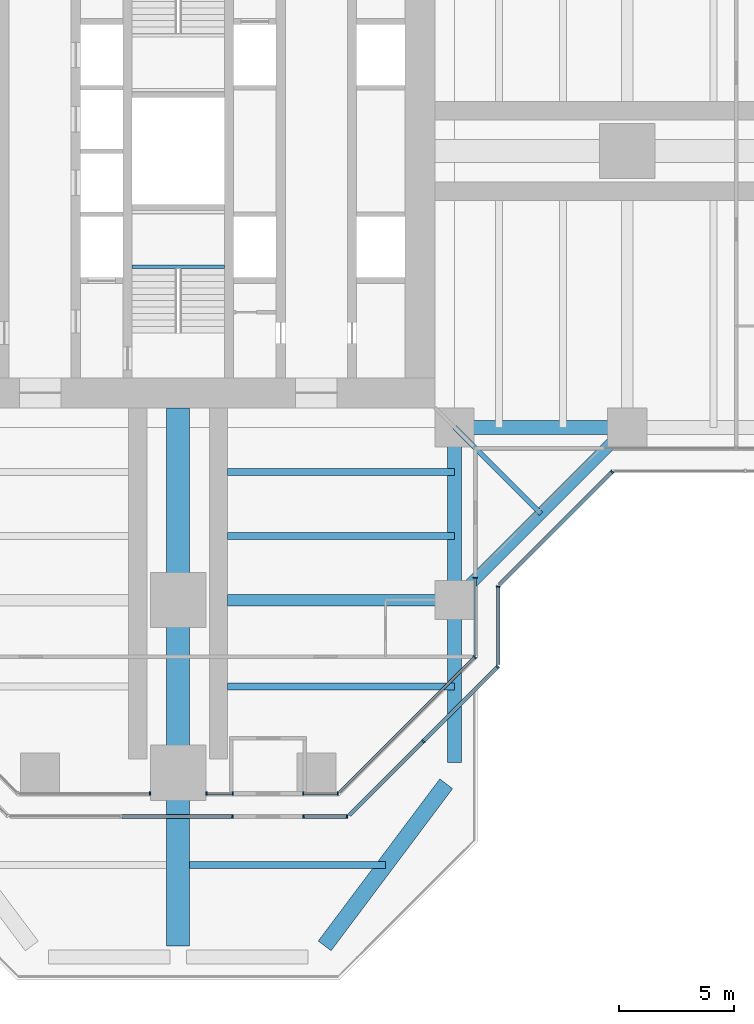
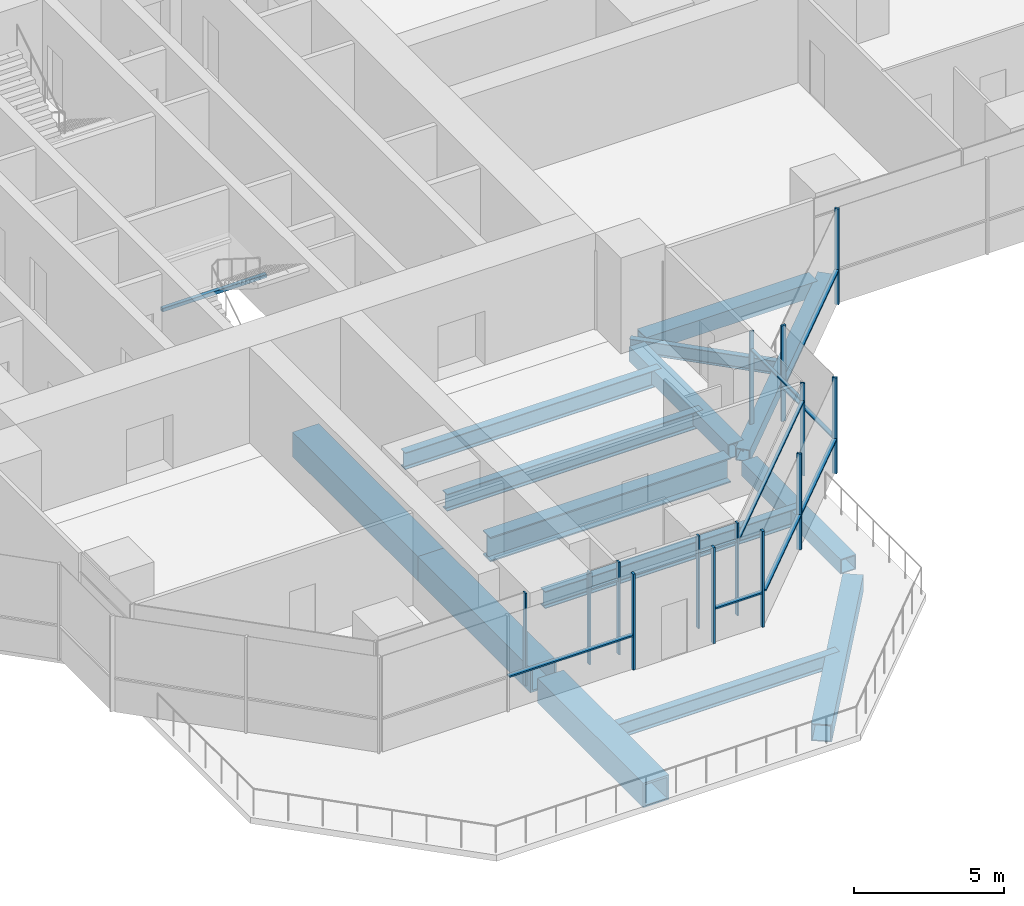
# One storey, part 5 of 21: 24 members, 15 beams, 10 elements without a shape of their own.
"""IFC4 building model written with IfcOpenShell, lengths in metres."""

from ifc_helpers import new_model, si_unit, direction, frame, origin, origin_2d, place, context, subcontext, project, spatial, rectangle, hollow_rectangle, i_section, extrude, material, material_profile, profile_set, type_object, element, aggregate, save


model = new_model("IFC4")

# Units and contexts
model_context = context("Model", 3, precision=1e-05, world=origin(), true_north=direction((0.0, 1.0)))
body_context = subcontext(model_context, "Body", "Model", "MODEL_VIEW")
ifc_project = project(units=[si_unit("LENGTHUNIT", "METRE"), si_unit("AREAUNIT", "SQUARE_METRE"), si_unit("VOLUMEUNIT", "CUBIC_METRE"), si_unit("PLANEANGLEUNIT", "RADIAN"), si_unit("MASSUNIT", "GRAM", prefix="KILO")], contexts=[model_context])

# Site, building, storey
site_placement = place(None, origin())
site = spatial("IfcSite", under=ifc_project, at=site_placement, CompositionType="ELEMENT")
building_placement = place(site_placement, origin())
building = spatial("IfcBuilding", under=site, at=building_placement, Name="Mizan Broadcast Tower", CompositionType="ELEMENT")
storey_placement = place(building_placement, frame((0.0, 0.0, 124.199951171875)))
storey = spatial("IfcBuildingStorey", under=building, at=storey_placement, Name="L27", CompositionType="ELEMENT", Elevation=124.199951171875)

# Beams
ifc_material_1 = material(Name="Steel S355", Category="steel")
ifc_material_profile_1 = material_profile(ifc_material_1, hollow_rectangle(XDim=0.5, YDim=0.5, WallThickness=0.030029296875, at=origin_2d()), Name="BOX 500x500x30")
ifc_profile_set_1 = profile_set([ifc_material_profile_1], Name="Steel S355")
beam_type_1 = type_object("IfcBeamType", Name="EDGE BEAM BOX 500x500x30", PredefinedType="SPANDREL", material=ifc_profile_set_1)
beam_1_placement = place(storey_placement, frame((12.0, -19.5, -0.3798828125), z_axis=(0.707106781187, 0.707106781187, 0.0), x_axis=(-0.707106781187, 0.707106781187, 0.0)))
element("IfcBeam", 1, at=beam_1_placement, inside=storey, type_object=beam_type_1, Name="Winter garden edge beam L27 S", PredefinedType="SPANDREL", context=body_context, shape_type="SweptSolid", body=[
    extrude(hollow_rectangle(XDim=0.5, YDim=0.5, WallThickness=0.030029296875, at=origin_2d()), origin(), (0.0, 0.0, 1.0), 10.606689453125),
])
ifc_material_2 = material(Name="Steel S355", Category="steel")
ifc_material_profile_2 = material_profile(ifc_material_2, hollow_rectangle(XDim=0.60009765625, YDim=0.60009765625, WallThickness=0.0400390625, at=origin_2d()), Name="BOX 600x600x40")
ifc_profile_set_2 = profile_set([ifc_material_profile_2], Name="Steel S355")
beam_type_2 = type_object("IfcBeamType", Name="EDGE BEAM BOX 600x600x40", PredefinedType="SPANDREL", material=ifc_profile_set_2)
for number, where, z_axis, x_axis, name in (
    (2, (12.449951171875, -12.0, -0.429931640625), (1.0, 0.0, 0.0), (0.0, 1.0, 0.0), "Edge beam BOX 600x600x40 L27 east arm"),
    (3, (12.0, -12.449951171875, -0.429931640625), (0.0, -1.0, 0.0), (1.0, 0.0, 0.0), "Edge beam BOX 600x600x40 L27 south arm"),
    (4, (12.0, -19.949951171875, -0.550048828125), (0.0, -1.0, 0.0), (1.0, 0.0, 0.0), "Edge beam BOX 600x600x40 L27 south arm"),
):
    element("IfcBeam", number, at=place(storey_placement, frame(where, z_axis=z_axis, x_axis=x_axis)), inside=storey, type_object=beam_type_2, Name=name, PredefinedType="SPANDREL", context=body_context, shape_type="SweptSolid", body=[
        extrude(hollow_rectangle(XDim=0.60009765625, YDim=0.60009765625, WallThickness=0.0400390625, at=origin_2d()), origin(), (0.0, 0.0, 1.0), 6.60009765625),
    ])
ifc_material_3 = material(Name="Steel S355", Category="steel")
ifc_material_profile_3 = material_profile(ifc_material_3, hollow_rectangle(XDim=0.699951171875, YDim=0.699951171875, WallThickness=0.0400390625, at=origin_2d()), Name="BOX 700x700x40")
ifc_profile_set_3 = profile_set([ifc_material_profile_3], Name="Steel S355")
beam_type_3 = type_object("IfcBeamType", Name="EDGE BEAM BOX 700x700x40", PredefinedType="SPANDREL", material=ifc_profile_set_3)
beam_2_placement = place(storey_placement, frame((11.639892578125, -27.47998046875, -0.599853515625), z_axis=(-0.599982243973, -0.800013316712, 0.0), x_axis=(0.800013316712, -0.599982243973, 0.0)))
element("IfcBeam", 5, at=beam_2_placement, inside=storey, type_object=beam_type_3, Name="Edge beam BOX 700x700x40 L27 south arm", PredefinedType="SPANDREL", context=body_context, shape_type="SweptSolid", body=[
    extrude(hollow_rectangle(XDim=0.699951171875, YDim=0.699951171875, WallThickness=0.0400390625, at=origin_2d()), origin(), (0.0, 0.0, 1.0), 8.7998046875),
])
ifc_material_4 = material(Name="Steel S460", Category="steel")
ifc_material_profile_4 = material_profile(ifc_material_4, hollow_rectangle(XDim=1.0, YDim=1.0, WallThickness=0.080078125, at=origin_2d()), Name="BOX 1000x1000x80")
ifc_profile_set_4 = profile_set([ifc_material_profile_4], Name="Steel S460")
beam_type_4 = type_object("IfcBeamType", Name="GIRDER BOX 1000x1000x80", PredefinedType="BEAM", material=ifc_profile_set_4)
beam_3_placement = place(storey_placement, frame((0.0, -27.47998046875, -0.75), z_axis=(0.0, -1.0, 0.0), x_axis=(1.0, 0.0, 0.0)))
element("IfcBeam", 6, at=beam_3_placement, inside=storey, type_object=beam_type_4, Name="Girder BOX 1000x1000x80 L27 south arm", PredefinedType="BEAM", context=body_context, shape_type="SweptSolid", body=[
    extrude(hollow_rectangle(XDim=1.0, YDim=1.0, WallThickness=0.080078125, at=origin_2d()), origin(), (0.0, 0.0, 1.0), 7.0400390625),
])
ifc_material_5 = material(Name="Steel S460", Category="steel")
ifc_material_profile_5 = material_profile(ifc_material_5, i_section(OverallWidth=0.5, OverallDepth=1.0, WebThickness=0.02490234375, FlangeThickness=0.050048828125, at=origin_2d()), Name="WPG 1000x500")
ifc_profile_set_5 = profile_set([ifc_material_profile_5], Name="Steel S460")
beam_type_5 = type_object("IfcBeamType", Name="GIRDER WPG 1000x500", PredefinedType="BEAM", material=ifc_profile_set_5)
beam_4_placement = place(storey_placement, frame((11.408935546875, -19.5, -0.6298828125), z_axis=(-1.0, 0.0, 0.0), x_axis=(0.0, -1.0, 0.0)))
element("IfcBeam", 7, at=beam_4_placement, inside=storey, type_object=beam_type_5, Name="Girder WPG 1000x500 L27 south arm", PredefinedType="BEAM", context=body_context, shape_type="SweptSolid", body=[
    extrude(i_section(OverallWidth=0.5, OverallDepth=1.0, WebThickness=0.02490234375, FlangeThickness=0.050048828125, at=origin_2d()), origin(), (0.0, 0.0, 1.0), 9.259033203125),
])

# Curtain wall, member
ifc_material_6 = material(Name="Aluminium framed glazing", Category="aluminium")
curtain_wall_type_1 = type_object("IfcCurtainWallType", Name="INNER SKIN MID ZONE", PredefinedType="USERDEFINED", material=ifc_material_6)
curtain_wall_1_placement = place(storey_placement, origin())
curtain_wall_1 = element("IfcCurtainWall", 8, at=curtain_wall_1_placement, inside=storey, type_object=curtain_wall_type_1, Name="Inner skin mid zone L27 S end", ObjectType="INNER SKIN MID ZONE", PredefinedType="USERDEFINED")
ifc_material_7 = material(Name="Aluminium, pale anodised", Category="aluminium")
ifc_material_profile_6 = material_profile(ifc_material_7, rectangle(XDim=0.159912109375, YDim=0.06005859375, at=origin_2d()), Name="MULLION 160x60")
ifc_profile_set_6 = profile_set([ifc_material_profile_6], Name="Aluminium, pale anodised")
member_type_1 = type_object("IfcMemberType", Name="INNER SKIN MULLION 60x160", PredefinedType="MULLION", material=ifc_profile_set_6)
member_1_placement = place(storey_placement, frame((-1.22998046875, -27.89990234375, 0.0), z_axis=(0.0, 0.0, 1.0), x_axis=(0.0, 1.0, 0.0)))
member_1 = element("IfcMember", 9, at=member_1_placement, type_object=member_type_1, Name="Inner skin mid zone L27 S end mullion 2", PredefinedType="MULLION", context=body_context, shape_type="SweptSolid", body=[
    extrude(rectangle(XDim=0.159912109375, YDim=0.06005859375, at=origin_2d()), origin(), (0.0, 0.0, 1.0), 3.77001953125),
])
aggregate(curtain_wall_1, [member_1])

# Curtain wall, members
curtain_wall_2_placement = place(storey_placement, origin())
curtain_wall_2 = element("IfcCurtainWall", 10, at=curtain_wall_2_placement, inside=storey, type_object=curtain_wall_type_1, Name="Inner skin mid zone L27 S end", ObjectType="INNER SKIN MID ZONE", PredefinedType="USERDEFINED")
member_2_placement = place(storey_placement, frame((1.22998046875, -27.89990234375, 0.0), z_axis=(0.0, 0.0, 1.0), x_axis=(0.0, 1.0, 0.0)))
member_2 = element("IfcMember", 11, at=member_2_placement, type_object=member_type_1, Name="Inner skin mid zone L27 S end mullion 1", PredefinedType="MULLION", context=body_context, shape_type="SweptSolid", body=[
    extrude(rectangle(XDim=0.159912109375, YDim=0.06005859375, at=origin_2d()), origin(), (0.0, 0.0, 1.0), 3.77001953125),
])
member_3_placement = place(storey_placement, frame((2.3701171875, -27.89990234375, 0.0), z_axis=(0.0, 0.0, 1.0), x_axis=(0.0, 1.0, 0.0)))
member_3 = element("IfcMember", 12, at=member_3_placement, type_object=member_type_1, Name="Inner skin mid zone L27 S end mullion 2", PredefinedType="MULLION", context=body_context, shape_type="SweptSolid", body=[
    extrude(rectangle(XDim=0.159912109375, YDim=0.06005859375, at=origin_2d()), origin(), (0.0, 0.0, 1.0), 3.77001953125),
])

curtain_wall_3_placement = place(storey_placement, origin())
curtain_wall_3 = element("IfcCurtainWall", 13, at=curtain_wall_3_placement, inside=storey, type_object=curtain_wall_type_1, Name="Inner skin mid zone L27 S end", ObjectType="INNER SKIN MID ZONE", PredefinedType="USERDEFINED")
member_4_placement = place(storey_placement, frame((5.429931640625, -27.89990234375, 0.0), z_axis=(0.0, 0.0, 1.0), x_axis=(0.0, 1.0, 0.0)))
member_4 = element("IfcMember", 14, at=member_4_placement, type_object=member_type_1, Name="Inner skin mid zone L27 S end mullion 1", PredefinedType="MULLION", context=body_context, shape_type="SweptSolid", body=[
    extrude(rectangle(XDim=0.159912109375, YDim=0.06005859375, at=origin_2d()), origin(), (0.0, 0.0, 1.0), 3.77001953125),
])
member_5_placement = place(storey_placement, frame((6.928466796875, -27.89990234375, 0.0), z_axis=(0.0, 0.0, 1.0), x_axis=(0.0, 1.0, 0.0)))
member_5 = element("IfcMember", 15, at=member_5_placement, type_object=member_type_1, Name="Inner skin mid zone L27 S end mullion 2", PredefinedType="MULLION", context=body_context, shape_type="SweptSolid", body=[
    extrude(rectangle(XDim=0.159912109375, YDim=0.06005859375, at=origin_2d()), origin(), (0.0, 0.0, 1.0), 3.77001953125),
])

# Curtain wall, member
curtain_wall_4_placement = place(storey_placement, origin())
curtain_wall_4 = element("IfcCurtainWall", 16, at=curtain_wall_4_placement, inside=storey, type_object=curtain_wall_type_1, Name="Inner skin mid zone L27 S chamfer", ObjectType="INNER SKIN MID ZONE", PredefinedType="USERDEFINED")
member_6_placement = place(storey_placement, frame((12.87890625, -21.979736328125, 0.0), z_axis=(0.0, 0.0, 1.0), x_axis=(-0.707106781187, 0.707106781187, 0.0)))
member_6 = element("IfcMember", 17, at=member_6_placement, type_object=member_type_1, Name="Inner skin mid zone L27 S chamfer mullion 2", PredefinedType="MULLION", context=body_context, shape_type="SweptSolid", body=[
    extrude(rectangle(XDim=0.159912109375, YDim=0.06005859375, at=origin_2d()), origin(), (0.0, 0.0, 1.0), 3.77001953125),
])

curtain_wall_5_placement = place(storey_placement, origin())
curtain_wall_5 = element("IfcCurtainWall", 18, at=curtain_wall_5_placement, inside=storey, type_object=curtain_wall_type_1, Name="Inner skin mid zone L27 S side", ObjectType="INNER SKIN MID ZONE", PredefinedType="USERDEFINED")
member_7_placement = place(storey_placement, frame((12.89990234375, -18.530029296875, 0.0), z_axis=(0.0, 0.0, 1.0), x_axis=(-1.0, 0.0, 0.0)))
member_7 = element("IfcMember", 19, at=member_7_placement, type_object=member_type_1, Name="Inner skin mid zone L27 S side mullion 2", PredefinedType="MULLION", context=body_context, shape_type="SweptSolid", body=[
    extrude(rectangle(XDim=0.159912109375, YDim=0.06005859375, at=origin_2d()), origin(), (0.0, 0.0, 1.0), 3.77001953125),
])

# Member
ifc_material_8 = material(Name="Aluminium, pale anodised", Category="aluminium")
ifc_material_profile_7 = material_profile(ifc_material_8, rectangle(XDim=0.1201171875, YDim=0.06005859375, at=origin_2d()), Name="TRANSOM 120x60")
ifc_profile_set_7 = profile_set([ifc_material_profile_7], Name="Aluminium, pale anodised")
member_type_2 = type_object("IfcMemberType", Name="INNER SKIN TRANSOM 60x120", PredefinedType="USERDEFINED", material=ifc_profile_set_7)
member_8_placement = place(storey_placement, frame((1.260009765625, -27.89990234375, 3.030029296875), z_axis=(1.0, 0.0, 0.0), x_axis=(0.0, 1.0, 0.0)))
member_8 = element("IfcMember", 20, at=member_8_placement, type_object=member_type_2, Name="Inner skin mid zone L27 S end transom 1.1", ObjectType="TRANSOM", PredefinedType="USERDEFINED", context=body_context, shape_type="SweptSolid", body=[
    extrude(rectangle(XDim=0.1201171875, YDim=0.06005859375, at=origin_2d()), origin(), (0.0, 0.0, 1.0), 1.080078125),
])

aggregate(curtain_wall_2, [member_2, member_3, member_8])

member_9_placement = place(storey_placement, frame((5.4599609375, -27.89990234375, 3.030029296875), z_axis=(1.0, 0.0, 0.0), x_axis=(0.0, 1.0, 0.0)))
member_9 = element("IfcMember", 21, at=member_9_placement, type_object=member_type_2, Name="Inner skin mid zone L27 S end transom 1.1", ObjectType="TRANSOM", PredefinedType="USERDEFINED", context=body_context, shape_type="SweptSolid", body=[
    extrude(rectangle(XDim=0.1201171875, YDim=0.06005859375, at=origin_2d()), origin(), (0.0, 0.0, 1.0), 1.438720703125),
])

aggregate(curtain_wall_3, [member_4, member_5, member_9])

member_10_placement = place(storey_placement, frame((7.0009765625, -27.857666015625, 3.030029296875), z_axis=(0.707106781187, 0.707106781187, 0.0), x_axis=(-0.707106781187, 0.707106781187, 0.0)))
member_10 = element("IfcMember", 22, at=member_10_placement, type_object=member_type_2, Name="Inner skin mid zone L27 S chamfer transom 1.1", ObjectType="TRANSOM", PredefinedType="USERDEFINED", context=body_context, shape_type="SweptSolid", body=[
    extrude(rectangle(XDim=0.1201171875, YDim=0.06005859375, at=origin_2d()), origin(), (0.0, 0.0, 1.0), 8.28271484375),
])

aggregate(curtain_wall_4, [member_6, member_10])

member_11_placement = place(storey_placement, frame((12.89990234375, -21.898681640625, 3.030029296875), z_axis=(0.0, 1.0, 0.0), x_axis=(-1.0, 0.0, 0.0)))
member_11 = element("IfcMember", 23, at=member_11_placement, type_object=member_type_2, Name="Inner skin mid zone L27 S side transom 1.1", ObjectType="TRANSOM", PredefinedType="USERDEFINED", context=body_context, shape_type="SweptSolid", body=[
    extrude(rectangle(XDim=0.1201171875, YDim=0.06005859375, at=origin_2d()), origin(), (0.0, 0.0, 1.0), 3.338623046875),
])

aggregate(curtain_wall_5, [member_7, member_11])

# Beam
ifc_material_9 = material(Name="Steel S355", Category="steel")
ifc_material_profile_8 = material_profile(ifc_material_9, hollow_rectangle(XDim=0.14990234375, YDim=0.14990234375, WallThickness=0.008056640625, InnerFilletRadius=0.008056640625, OuterFilletRadius=0.011962890625, at=origin_2d()), Name="SHS 150x150x8")
ifc_profile_set_8 = profile_set([ifc_material_profile_8], Name="Steel S355")
beam_type_6 = type_object("IfcBeamType", Name="LANDING TRIMMER SHS 150x150x8", PredefinedType="BEAM", material=ifc_profile_set_8)
beam_5_placement = place(storey_placement, frame((-2.0, -5.02490234375, 1.675048828125), z_axis=(1.0, 0.0, 0.0), x_axis=(0.0, 1.0, 0.0)))
element("IfcBeam", 24, at=beam_5_placement, inside=storey, type_object=beam_type_6, Name="Stair A landing trimmer L27", PredefinedType="BEAM", context=body_context, shape_type="SweptSolid", body=[
    extrude(hollow_rectangle(XDim=0.14990234375, YDim=0.14990234375, WallThickness=0.008056640625, InnerFilletRadius=0.008056640625, OuterFilletRadius=0.011962890625, at=origin_2d()), origin(), (0.0, 0.0, 1.0), 4.0),
])

# Curtain wall, member
ifc_material_10 = material(Name="Aluminium framed glazing", Category="aluminium")
curtain_wall_type_2 = type_object("IfcCurtainWallType", Name="OUTER SKIN", PredefinedType="USERDEFINED", material=ifc_material_10)
curtain_wall_6_placement = place(storey_placement, origin())
curtain_wall_6 = element("IfcCurtainWall", 25, at=curtain_wall_6_placement, inside=storey, type_object=curtain_wall_type_2, Name="Outer skin L27 S end", ObjectType="OUTER SKIN", PredefinedType="USERDEFINED")
ifc_material_11 = material(Name="Aluminium, pale anodised", Category="aluminium")
ifc_material_profile_9 = material_profile(ifc_material_11, rectangle(XDim=0.159912109375, YDim=0.080078125, at=origin_2d()), Name="MULLION 160x80")
ifc_profile_set_9 = profile_set([ifc_material_profile_9], Name="Aluminium, pale anodised")
member_type_3 = type_object("IfcMemberType", Name="OUTER SKIN MULLION 80x160", PredefinedType="MULLION", material=ifc_profile_set_9)
member_12_placement = place(storey_placement, frame((2.360107421875, -28.89990234375, 0.0), z_axis=(0.0, 0.0, 1.0), x_axis=(0.0, 1.0, 0.0)))
member_12 = element("IfcMember", 26, at=member_12_placement, type_object=member_type_3, Name="Outer skin L27 S end mullion 3", PredefinedType="MULLION", context=body_context, shape_type="SweptSolid", body=[
    extrude(rectangle(XDim=0.159912109375, YDim=0.080078125, at=origin_2d()), origin(), (0.0, 0.0, 1.0), 3.900146484375),
])

# Curtain wall, members
curtain_wall_7_placement = place(storey_placement, origin())
curtain_wall_7 = element("IfcCurtainWall", 27, at=curtain_wall_7_placement, inside=storey, type_object=curtain_wall_type_2, Name="Outer skin L27 S end", ObjectType="OUTER SKIN", PredefinedType="USERDEFINED")
member_13_placement = place(storey_placement, frame((5.43994140625, -28.89990234375, 0.0), z_axis=(0.0, 0.0, 1.0), x_axis=(0.0, 1.0, 0.0)))
member_13 = element("IfcMember", 28, at=member_13_placement, type_object=member_type_3, Name="Outer skin L27 S end mullion 1", PredefinedType="MULLION", context=body_context, shape_type="SweptSolid", body=[
    extrude(rectangle(XDim=0.159912109375, YDim=0.080078125, at=origin_2d()), origin(), (0.0, 0.0, 1.0), 3.900146484375),
])
member_14_placement = place(storey_placement, frame((7.332763671875, -28.89990234375, 0.0), z_axis=(0.0, 0.0, 1.0), x_axis=(0.0, 1.0, 0.0)))
member_14 = element("IfcMember", 29, at=member_14_placement, type_object=member_type_3, Name="Outer skin L27 S end mullion 2", PredefinedType="MULLION", context=body_context, shape_type="SweptSolid", body=[
    extrude(rectangle(XDim=0.159912109375, YDim=0.080078125, at=origin_2d()), origin(), (0.0, 0.0, 1.0), 3.900146484375),
])

curtain_wall_8_placement = place(storey_placement, origin())
curtain_wall_8 = element("IfcCurtainWall", 30, at=curtain_wall_8_placement, inside=storey, type_object=curtain_wall_type_2, Name="Outer skin L27 S chamfer", ObjectType="OUTER SKIN", PredefinedType="USERDEFINED")
member_15_placement = place(storey_placement, frame((10.636474609375, -25.636474609375, 0.0), z_axis=(0.0, 0.0, 1.0), x_axis=(-0.707106781187, 0.707106781187, 0.0)))
member_15 = element("IfcMember", 31, at=member_15_placement, type_object=member_type_3, Name="Outer skin L27 S chamfer mullion 2", PredefinedType="MULLION", context=body_context, shape_type="SweptSolid", body=[
    extrude(rectangle(XDim=0.159912109375, YDim=0.080078125, at=origin_2d()), origin(), (0.0, 0.0, 1.0), 3.900146484375),
])
member_16_placement = place(storey_placement, frame((13.871826171875, -22.401123046875, 0.0), z_axis=(0.0, 0.0, 1.0), x_axis=(-0.707106781187, 0.707106781187, 0.0)))
member_16 = element("IfcMember", 32, at=member_16_placement, type_object=member_type_3, Name="Outer skin L27 S chamfer mullion 3", PredefinedType="MULLION", context=body_context, shape_type="SweptSolid", body=[
    extrude(rectangle(XDim=0.159912109375, YDim=0.080078125, at=origin_2d()), origin(), (0.0, 0.0, 1.0), 3.900146484375),
])

# Curtain wall, member
curtain_wall_9_placement = place(storey_placement, origin())
curtain_wall_9 = element("IfcCurtainWall", 33, at=curtain_wall_9_placement, inside=storey, type_object=curtain_wall_type_2, Name="Outer skin L27 S side", ObjectType="OUTER SKIN", PredefinedType="USERDEFINED")
member_17_placement = place(storey_placement, frame((13.89990234375, -18.912841796875, 0.0), z_axis=(0.0, 0.0, 1.0), x_axis=(-1.0, 0.0, 0.0)))
member_17 = element("IfcMember", 34, at=member_17_placement, type_object=member_type_3, Name="Outer skin L27 S side mullion 2", PredefinedType="MULLION", context=body_context, shape_type="SweptSolid", body=[
    extrude(rectangle(XDim=0.159912109375, YDim=0.080078125, at=origin_2d()), origin(), (0.0, 0.0, 1.0), 3.900146484375),
])

curtain_wall_10_placement = place(storey_placement, origin())
curtain_wall_10 = element("IfcCurtainWall", 35, at=curtain_wall_10_placement, inside=storey, type_object=curtain_wall_type_2, Name="Outer skin L27 E chamfer", ObjectType="OUTER SKIN", PredefinedType="USERDEFINED")
member_18_placement = place(storey_placement, frame((18.844482421875, -13.92822265625, 0.0), z_axis=(0.0, 0.0, 1.0), x_axis=(-0.707106781187, 0.707106781187, 0.0)))
member_18 = element("IfcMember", 36, at=member_18_placement, type_object=member_type_3, Name="Outer skin L27 E chamfer mullion 2", PredefinedType="MULLION", context=body_context, shape_type="SweptSolid", body=[
    extrude(rectangle(XDim=0.159912109375, YDim=0.080078125, at=origin_2d()), origin(), (0.0, 0.0, 1.0), 3.900146484375),
])

# Member
ifc_material_12 = material(Name="Aluminium, pale anodised", Category="aluminium")
ifc_material_profile_10 = material_profile(ifc_material_12, rectangle(XDim=0.159912109375, YDim=0.06005859375, at=origin_2d()), Name="TRANSOM 160x60")
ifc_profile_set_10 = profile_set([ifc_material_profile_10], Name="Aluminium, pale anodised")
member_type_4 = type_object("IfcMemberType", Name="OUTER SKIN TRANSOM 60x160", PredefinedType="USERDEFINED", material=ifc_profile_set_10)
member_19_placement = place(storey_placement, frame((-2.4462890625, -28.89990234375, 1.400146484375), z_axis=(1.0, 0.0, 0.0), x_axis=(0.0, 1.0, 0.0)))
member_19 = element("IfcMember", 37, at=member_19_placement, type_object=member_type_4, Name="Outer skin L27 S end transom 2.1", ObjectType="TRANSOM", PredefinedType="USERDEFINED", context=body_context, shape_type="SweptSolid", body=[
    extrude(rectangle(XDim=0.159912109375, YDim=0.06005859375, at=origin_2d()), origin(), (0.0, 0.0, 1.0), 4.766357421875),
])

aggregate(curtain_wall_6, [member_12, member_19])

member_20_placement = place(storey_placement, frame((5.47998046875, -28.89990234375, 1.400146484375), z_axis=(1.0, 0.0, 0.0), x_axis=(0.0, 1.0, 0.0)))
member_20 = element("IfcMember", 38, at=member_20_placement, type_object=member_type_4, Name="Outer skin L27 S end transom 1.1", ObjectType="TRANSOM", PredefinedType="USERDEFINED", context=body_context, shape_type="SweptSolid", body=[
    extrude(rectangle(XDim=0.159912109375, YDim=0.06005859375, at=origin_2d()), origin(), (0.0, 0.0, 1.0), 1.812744140625),
])

aggregate(curtain_wall_7, [member_13, member_14, member_20])

member_21_placement = place(storey_placement, frame((7.429443359375, -28.843505859375, 1.400146484375), z_axis=(0.707106781187, 0.707106781187, 0.0), x_axis=(-0.707106781187, 0.707106781187, 0.0)))
member_21 = element("IfcMember", 39, at=member_21_placement, type_object=member_type_4, Name="Outer skin L27 S chamfer transom 1.1", ObjectType="TRANSOM", PredefinedType="USERDEFINED", context=body_context, shape_type="SweptSolid", body=[
    extrude(rectangle(XDim=0.159912109375, YDim=0.06005859375, at=origin_2d()), origin(), (0.0, 0.0, 1.0), 4.495361328125),
])

member_22_placement = place(storey_placement, frame((10.664794921875, -25.608154296875, 1.400146484375), z_axis=(0.707106781187, 0.707106781187, 0.0), x_axis=(-0.707106781187, 0.707106781187, 0.0)))
member_22 = element("IfcMember", 40, at=member_22_placement, type_object=member_type_4, Name="Outer skin L27 S chamfer transom 2.1", ObjectType="TRANSOM", PredefinedType="USERDEFINED", context=body_context, shape_type="SweptSolid", body=[
    extrude(rectangle(XDim=0.159912109375, YDim=0.06005859375, at=origin_2d()), origin(), (0.0, 0.0, 1.0), 4.495361328125),
])

aggregate(curtain_wall_8, [member_15, member_16, member_21, member_22])

member_23_placement = place(storey_placement, frame((13.89990234375, -22.292724609375, 1.400146484375), z_axis=(0.0, 1.0, 0.0), x_axis=(-1.0, 0.0, 0.0)))
member_23 = element("IfcMember", 41, at=member_23_placement, type_object=member_type_4, Name="Outer skin L27 S side transom 1.1", ObjectType="TRANSOM", PredefinedType="USERDEFINED", context=body_context, shape_type="SweptSolid", body=[
    extrude(rectangle(XDim=0.159912109375, YDim=0.06005859375, at=origin_2d()), origin(), (0.0, 0.0, 1.0), 3.33984375),
])

aggregate(curtain_wall_9, [member_17, member_23])

member_24_placement = place(storey_placement, frame((13.95654296875, -18.816162109375, 1.400146484375), z_axis=(0.707106781187, 0.707106781187, 0.0), x_axis=(-0.707106781187, 0.707106781187, 0.0)))
member_24 = element("IfcMember", 42, at=member_24_placement, type_object=member_type_4, Name="Outer skin L27 E chamfer transom 1.1", ObjectType="TRANSOM", PredefinedType="USERDEFINED", context=body_context, shape_type="SweptSolid", body=[
    extrude(rectangle(XDim=0.159912109375, YDim=0.06005859375, at=origin_2d()), origin(), (0.0, 0.0, 1.0), 6.87255859375),
])

aggregate(curtain_wall_10, [member_18, member_24])

# Beams
ifc_material_13 = material(Name="Steel S460", Category="steel")
ifc_material_profile_11 = material_profile(ifc_material_13, hollow_rectangle(XDim=1.0, YDim=1.0, WallThickness=0.080078125, at=origin_2d()), Name="BOX 1000x1000x80")
ifc_profile_set_11 = profile_set([ifc_material_profile_11], Name="Steel S460")
beam_type_7 = type_object("IfcBeamType", Name="OUTRIGGER TRUSS OT2 CHORD BOX 1000x1000x80", PredefinedType="BEAM", material=ifc_profile_set_11)
beam_6_placement = place(storey_placement, frame((0.0, -11.14990234375, -0.6298828125), z_axis=(0.0, -1.0, 0.0), x_axis=(1.0, 0.0, 0.0)))
element("IfcBeam", 43, at=beam_6_placement, inside=storey, type_object=beam_type_7, Name="Outrigger truss OT2-S top chord 1", PredefinedType="BEAM", context=body_context, shape_type="SweptSolid", body=[
    extrude(hollow_rectangle(XDim=1.0, YDim=1.0, WallThickness=0.080078125, at=origin_2d()), origin(), (0.0, 0.0, 1.0), 8.35009765625),
])
beam_7_placement = place(storey_placement, frame((0.0, -19.5, -0.6298828125), z_axis=(0.0, -1.0, 0.0), x_axis=(1.0, 0.0, 0.0)))
element("IfcBeam", 44, at=beam_7_placement, inside=storey, type_object=beam_type_7, Name="Outrigger truss OT2-S top chord 2", PredefinedType="BEAM", context=body_context, shape_type="SweptSolid", body=[
    extrude(hollow_rectangle(XDim=1.0, YDim=1.0, WallThickness=0.080078125, at=origin_2d()), origin(), (0.0, 0.0, 1.0), 7.5),
])
ifc_material_14 = material(Name="Steel S355", Category="steel")
ifc_material_profile_12 = material_profile(ifc_material_14, i_section(OverallWidth=0.300048828125, OverallDepth=0.590087890625, WebThickness=0.012939453125, FlangeThickness=0.02490234375, FilletRadius=0.027099609375, at=origin_2d()), Name="HEA 600")
ifc_profile_set_12 = profile_set([ifc_material_profile_12], Name="Steel S355")
beam_type_8 = type_object("IfcBeamType", Name="SECONDARY BEAM HEA 600", PredefinedType="JOIST", material=ifc_profile_set_12)
beam_8_placement = place(storey_placement, frame((9.0, -31.0, -0.544921875), z_axis=(-1.0, 0.0, 0.0), x_axis=(0.0, -1.0, 0.0)))
element("IfcBeam", 45, at=beam_8_placement, inside=storey, type_object=beam_type_8, Name="Secondary beam HEA 600 L27 south arm", PredefinedType="JOIST", context=body_context, shape_type="SweptSolid", body=[
    extrude(i_section(OverallWidth=0.300048828125, OverallDepth=0.590087890625, WebThickness=0.012939453125, FlangeThickness=0.02490234375, FilletRadius=0.027099609375, at=origin_2d()), origin(), (0.0, 0.0, 1.0), 8.5),
])
ifc_material_15 = material(Name="Steel S355", Category="steel")
ifc_material_profile_13 = material_profile(ifc_material_15, i_section(OverallWidth=0.300048828125, OverallDepth=0.68994140625, WebThickness=0.014404296875, FlangeThickness=0.027099609375, FilletRadius=0.027099609375, at=origin_2d()), Name="HEA 700")
ifc_profile_set_13 = profile_set([ifc_material_profile_13], Name="Steel S355")
beam_type_9 = type_object("IfcBeamType", Name="SECONDARY BEAM HEA 700", PredefinedType="JOIST", material=ifc_profile_set_13)
for number, where, z_axis, x_axis, name in (
    (46, (12.0, -13.933349609375, -0.474853515625), (-1.0, 0.0, 0.0), (0.0, -1.0, 0.0), "Secondary beam HEA 700 L27 south arm"),
    (47, (12.0, -16.716552734375, -0.474853515625), (-1.0, 0.0, 0.0), (0.0, -1.0, 0.0), "Secondary beam HEA 700 L27 south arm"),
    (48, (12.0, -23.25, -0.474853515625), (-1.0, 0.0, 0.0), (0.0, -1.0, 0.0), "Secondary beam HEA 700 L27 south arm"),
):
    element("IfcBeam", number, at=place(storey_placement, frame(where, z_axis=z_axis, x_axis=x_axis)), inside=storey, type_object=beam_type_9, Name=name, PredefinedType="JOIST", context=body_context, shape_type="SweptSolid", body=[
        extrude(i_section(OverallWidth=0.300048828125, OverallDepth=0.68994140625, WebThickness=0.014404296875, FlangeThickness=0.027099609375, FilletRadius=0.027099609375, at=origin_2d()), origin(), (0.0, 0.0, 1.0), 9.85009765625),
    ])
ifc_material_16 = material(Name="Steel S355", Category="steel")
ifc_material_profile_14 = material_profile(ifc_material_16, i_section(OverallWidth=0.2099609375, OverallDepth=0.550048828125, WebThickness=0.010986328125, FlangeThickness=0.01708984375, FilletRadius=0.02392578125, at=origin_2d()), Name="IPE 550")
ifc_profile_set_14 = profile_set([ifc_material_profile_14], Name="Steel S355")
beam_type_10 = type_object("IfcBeamType", Name="SECONDARY BEAM IPE 550", PredefinedType="JOIST", material=ifc_profile_set_14)
beam_9_placement = place(storey_placement, frame((12.0, -12.0, -0.405029296875), z_axis=(0.707106781187, -0.707106781187, 0.0), x_axis=(0.707106781187, 0.707106781187, 0.0)))
element("IfcBeam", 49, at=beam_9_placement, inside=storey, type_object=beam_type_10, Name="Winter garden beam L27 S", PredefinedType="JOIST", context=body_context, shape_type="SweptSolid", body=[
    extrude(i_section(OverallWidth=0.2099609375, OverallDepth=0.550048828125, WebThickness=0.010986328125, FlangeThickness=0.01708984375, FilletRadius=0.02392578125, at=origin_2d()), origin(), (0.0, 0.0, 1.0), 5.30322265625),
])

save(model, "model.ifc")
